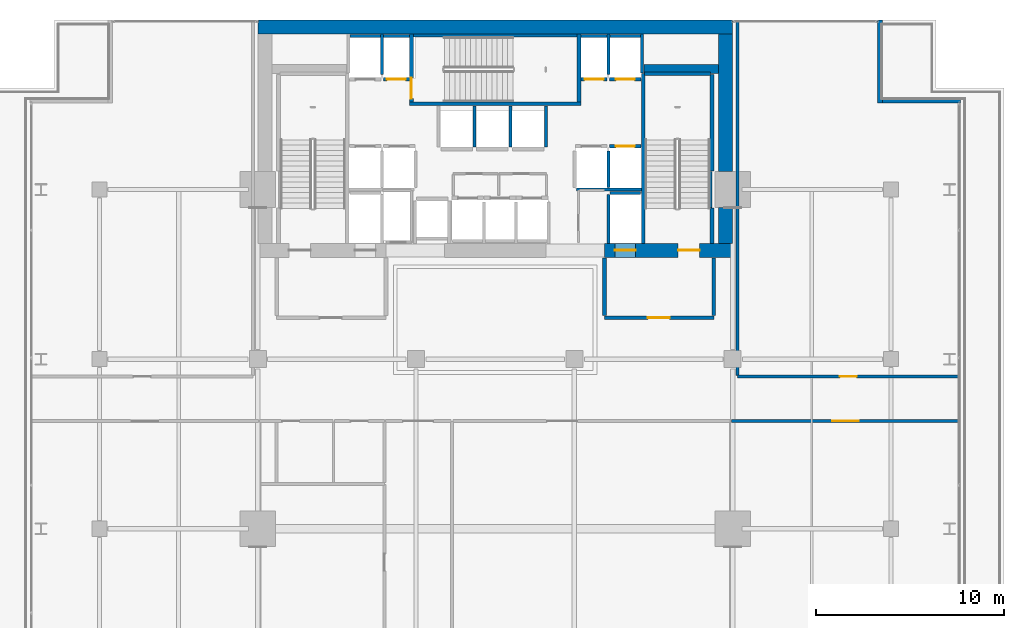
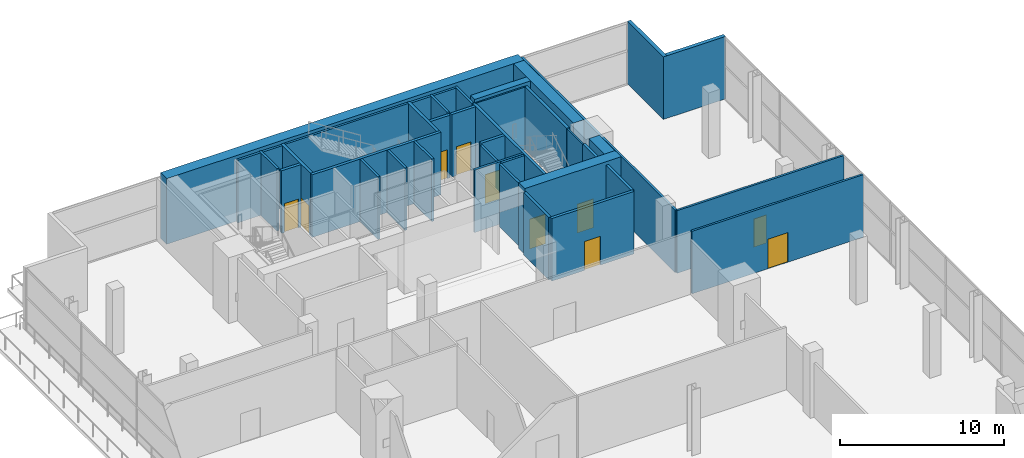
# One storey, part 26 of 31: 38 walls, 10 doors, 10 openings.
"""IFC4 building model written with IfcOpenShell, lengths in metres."""

from ifc_helpers import new_model, si_unit, direction, frame, frame_2d, origin, place, context, subcontext, project, spatial, rectangle, extrude, material, layer, layer_set, type_object, element, fill, save


model = new_model("IFC4")

# Units and contexts
model_context = context("Model", 3, precision=1e-05, world=origin(), true_north=direction((0.0, 1.0)))
body_context = subcontext(model_context, "Body", "Model", "MODEL_VIEW")
ifc_project = project(units=[si_unit("LENGTHUNIT", "METRE"), si_unit("AREAUNIT", "SQUARE_METRE"), si_unit("VOLUMEUNIT", "CUBIC_METRE"), si_unit("PLANEANGLEUNIT", "RADIAN"), si_unit("MASSUNIT", "GRAM", prefix="KILO")], contexts=[model_context])

# Site, building, storey
site_placement = place(None, origin())
site = spatial("IfcSite", under=ifc_project, at=site_placement, CompositionType="ELEMENT")
building_placement = place(site_placement, origin())
building = spatial("IfcBuilding", under=site, at=building_placement, Name="Maruvema Waterfront Hotel and Observation Tower", CompositionType="ELEMENT")
storey_placement = place(building_placement, frame((0.0, 0.0, 122.5)))
storey = spatial("IfcBuildingStorey", under=building, at=storey_placement, Name="L29", CompositionType="ELEMENT", Elevation=122.5)

# Wall, opening, door
ifc_material_1 = material(Name="Twin-stud acoustic gypsum drywall", Category="gypsum")
ifc_layer_1 = layer(ifc_material_1, 0.14990234375, Name="Acoustic Corridor and Suite Demising Wall 150 mm")
ifc_layer_set_1 = layer_set([ifc_layer_1], Name="Twin-stud acoustic gypsum drywall")
wall_type_1 = type_object("IfcWallType", Name="Acoustic Corridor and Suite Demising Wall 150 mm", PredefinedType="PARTITIONING", material=ifc_layer_set_1)
wall_1_placement = place(storey_placement, frame((50.35009765625, 32.719970703125, 0.0), z_axis=(0.0, 0.0, 1.0), x_axis=(1.0, 0.0, 0.0)))
wall_1 = element("IfcWall", 1, at=wall_1_placement, inside=storey, type_object=wall_type_1, Name="L29 L29 Club North 030", PredefinedType="PARTITIONING", context=body_context, shape_type="SweptSolid", body=[
    extrude(rectangle(XDim=12.06982421875, YDim=0.14990234375, at=frame_2d((6.034912109375, 0.0))), origin(), (0.0, 0.0, 1.0), 4.659912109375),
])
opening_1_placement = place(wall_1_placement, frame((5.3349609375, 0.0, 0.0)))
opening_1 = element("IfcOpeningElement", 2, at=opening_1_placement, cuts=wall_1, Name="Opening DR-140", PredefinedType="OPENING", context=body_context, shape_type="SweptSolid", body=[
    extrude(rectangle(XDim=1.39990234375, YDim=2.199951171875, at=frame_2d((0.699951171875, 1.10009765625))), frame((0.0, 0.0849609375, 0.0), z_axis=(0.0, -1.0, 0.0), x_axis=(1.0, 0.0, 0.0)), (0.0, 0.0, 1.0), 0.169921875),
])
ifc_material_2 = material(Name="Anodised bronze framed acoustic glass leaf", Category="glass")
door_type_1 = type_object("IfcDoorType", Name="Conference and Restaurant Double Door 1400x2200 mm", OperationType="DOUBLE_DOOR_SINGLE_SWING", PredefinedType="DOOR", material=ifc_material_2)
door_1_placement = place(opening_1_placement, origin())
door_1 = element("IfcDoor", 3, at=door_1_placement, inside=storey, type_object=door_type_1, Name="L29 L29 Club Lounge Door", OperationType="DOUBLE_DOOR_SINGLE_SWING", OverallHeight=2.199951171875, OverallWidth=1.39990234375, PredefinedType="DOOR", context=body_context, shape_type="SweptSolid", body=[
    extrude(rectangle(XDim=1.39990234375, YDim=2.199951171875, at=frame_2d((0.699951171875, 1.10009765625))), frame((0.0, 0.02490234375, 0.0), z_axis=(0.0, -1.0, 0.0), x_axis=(1.0, 0.0, 0.0)), (0.0, 0.0, 1.0), 0.050048828125),
])
fill(opening_1, door_1)

wall_2_placement = place(storey_placement, frame((50.64990234375, 35.080078125, 0.0), z_axis=(0.0, 0.0, 1.0), x_axis=(1.0, 0.0, 0.0)))
wall_2 = element("IfcWall", 4, at=wall_2_placement, inside=storey, type_object=wall_type_1, Name="L29 L29 Pastry Wall 035", PredefinedType="PARTITIONING", context=body_context, shape_type="SweptSolid", body=[
    extrude(rectangle(XDim=11.77001953125, YDim=0.14990234375, at=frame_2d((5.885009765625, 0.0))), origin(), (0.0, 0.0, 1.0), 4.659912109375),
])
opening_2_placement = place(wall_2_placement, frame((5.43505859375, 0.0, 0.0)))
opening_2 = element("IfcOpeningElement", 5, at=opening_2_placement, cuts=wall_2, Name="Opening DR-090", PredefinedType="OPENING", context=body_context, shape_type="SweptSolid", body=[
    extrude(rectangle(XDim=0.89990234375, YDim=2.10009765625, at=frame_2d((0.449951171875, 1.050048828125))), frame((0.0, 0.0849609375, 0.0), z_axis=(0.0, -1.0, 0.0), x_axis=(1.0, 0.0, 0.0)), (0.0, 0.0, 1.0), 0.169921875),
])
ifc_material_3 = material(Name="Solid-core lacquered timber leaf", Category="wood")
door_type_2 = type_object("IfcDoorType", Name="Accessible Toilet and Room Door 900x2100 mm", OperationType="NOTDEFINED", PredefinedType="DOOR", material=ifc_material_3)
door_2_placement = place(opening_2_placement, frame((0.89990234375, 0.0, 0.0), z_axis=(0.0, 0.0, 1.0), x_axis=(-1.0, 0.0, 0.0)))
door_2 = element("IfcDoor", 6, at=door_2_placement, inside=storey, type_object=door_type_2, Name="L29 Pastry Kitchen Door", OperationType="SINGLE_SWING_LEFT", OverallHeight=2.10009765625, OverallWidth=0.89990234375, PredefinedType="DOOR", context=body_context, shape_type="SweptSolid", body=[
    extrude(rectangle(XDim=0.89990234375, YDim=2.10009765625, at=frame_2d((0.449951171875, 1.050048828125))), frame((0.0, 0.02490234375, 0.0), z_axis=(0.0, -1.0, 0.0), x_axis=(1.0, 0.0, 0.0)), (0.0, 0.0, 1.0), 0.050048828125),
])
fill(opening_2, door_2)

# Walls
wall_3_placement = place(storey_placement, frame((50.64990234375, 35.139892578125, 0.0), z_axis=(0.0, 0.0, 1.0), x_axis=(0.0, 1.0, 0.0)))
element("IfcWall", 7, at=wall_3_placement, inside=storey, type_object=wall_type_1, Name="L29 L29 Pastry West 036", PredefinedType="PARTITIONING", context=body_context, shape_type="SweptSolid", body=[
    extrude(rectangle(XDim=18.780029296875, YDim=0.14990234375, at=frame_2d((9.39013671875, 0.0))), origin(), (0.0, 0.0, 1.0), 4.659912109375),
])
ifc_material_4 = material(Name="Precast concrete C45/55", Category="concrete")
ifc_layer_2 = layer(ifc_material_4, 0.14990234375, Name="Core Shaft Furring Wall 150 mm")
ifc_layer_set_2 = layer_set([ifc_layer_2], Name="Precast concrete C45/55")
wall_type_2 = type_object("IfcWallType", Name="Core Shaft Furring Wall 150 mm", PredefinedType="SOLIDWALL", material=ifc_layer_set_2)
wall_4_placement = place(storey_placement, frame((33.449951171875, 53.175048828125, 0.0), z_axis=(0.0, 0.0, 1.0), x_axis=(1.0, 0.0, 0.0)))
element("IfcWall", 8, at=wall_4_placement, inside=storey, type_object=wall_type_2, Name="L29 Stairwell ST-02 North Furring Wall", PredefinedType="SOLIDWALL", context=body_context, shape_type="SweptSolid", body=[
    extrude(rectangle(XDim=8.699951171875, YDim=0.14990234375, at=frame_2d((4.35009765625, 0.0))), origin(), (0.0, 0.0, 1.0), 4.659912109375),
])
ifc_material_5 = material(Name="Precast concrete C45/55", Category="concrete")
ifc_layer_3 = layer(ifc_material_5, 0.199951171875, Name="Core Shaft and Stairwell Enclosure Wall 200 mm")
ifc_layer_set_3 = layer_set([ifc_layer_3], Name="Precast concrete C45/55")
wall_type_3 = type_object("IfcWallType", Name="Core Shaft and Stairwell Enclosure Wall 200 mm", PredefinedType="SOLIDWALL", material=ifc_layer_set_3)
wall_5_placement = place(storey_placement, frame((33.25, 49.550048828125, 0.0), z_axis=(0.0, 0.0, 1.0), x_axis=(1.0, 0.0, 0.0)))
element("IfcWall", 9, at=wall_5_placement, inside=storey, type_object=wall_type_3, Name="L29 Stairwell ST-02 Shaft Wall", PredefinedType="SOLIDWALL", context=body_context, shape_type="SweptSolid", body=[
    extrude(rectangle(XDim=9.10009765625, YDim=0.199951171875, at=frame_2d((4.550048828125, 0.0))), origin(), (0.0, 0.0, 1.0), 4.659912109375),
])
wall_6_placement = place(storey_placement, frame((42.25, 49.64990234375, 0.0), z_axis=(0.0, 0.0, 1.0), x_axis=(0.0, 1.0, 0.0)))
element("IfcWall", 10, at=wall_6_placement, inside=storey, type_object=wall_type_3, Name="L29 Stairwell ST-02 Shaft Wall", PredefinedType="SOLIDWALL", context=body_context, shape_type="SweptSolid", body=[
    extrude(rectangle(XDim=3.60009765625, YDim=0.199951171875, at=frame_2d((1.800048828125, 0.0))), origin(), (0.0, 0.0, 1.0), 4.659912109375),
])

# Wall, opening, door
wall_7_placement = place(storey_placement, frame((33.35009765625, 49.64990234375, 0.0), z_axis=(0.0, 0.0, 1.0), x_axis=(0.0, 1.0, 0.0)))
wall_7 = element("IfcWall", 11, at=wall_7_placement, inside=storey, type_object=wall_type_3, Name="L29 Stairwell ST-02 Shaft Wall", PredefinedType="SOLIDWALL", context=body_context, shape_type="SweptSolid", body=[
    extrude(rectangle(XDim=3.60009765625, YDim=0.199951171875, at=frame_2d((1.800048828125, 0.0))), origin(), (0.0, 0.0, 1.0), 4.659912109375),
])
opening_3_placement = place(wall_7_placement, frame((0.179931640625, 0.0, 0.0)))
opening_3 = element("IfcOpeningElement", 12, at=opening_3_placement, cuts=wall_7, Name="Opening SD-02", PredefinedType="OPENING", context=body_context, shape_type="SweptSolid", body=[
    extrude(rectangle(XDim=1.10009765625, YDim=2.14990234375, at=frame_2d((0.550048828125, 1.074951171875))), frame((0.0, 0.10986328125, 0.0), z_axis=(0.0, -1.0, 0.0), x_axis=(1.0, 0.0, 0.0)), (0.0, 0.0, 1.0), 0.219970703125),
])
ifc_material_6 = material(Name="Fire-rated galvanised steel leaf", Category="steel")
door_type_3 = type_object("IfcDoorType", Name="Central Exit Stair Fire Door 1100x2150 mm", OperationType="NOTDEFINED", PredefinedType="DOOR", material=ifc_material_6)
door_3_placement = place(opening_3_placement, frame((1.10009765625, 0.0, 0.0), z_axis=(0.0, 0.0, 1.0), x_axis=(-1.0, 0.0, 0.0)))
door_3 = element("IfcDoor", 13, at=door_3_placement, inside=storey, type_object=door_type_3, Name="L29 Exit Stair ST-02 Fire Door", OperationType="SINGLE_SWING_LEFT", OverallHeight=2.14990234375, OverallWidth=1.10009765625, PredefinedType="DOOR", context=body_context, shape_type="SweptSolid", body=[
    extrude(rectangle(XDim=1.10009765625, YDim=2.14990234375, at=frame_2d((0.550048828125, 1.074951171875))), frame((0.0, 0.02490234375, 0.0), z_axis=(0.0, -1.0, 0.0), x_axis=(1.0, 0.0, 0.0)), (0.0, 0.0, 1.0), 0.050048828125),
])
fill(opening_3, door_3)

# Walls
wall_8_placement = place(storey_placement, frame((45.64990234375, 42.14990234375, 0.0), z_axis=(0.0, 0.0, 1.0), x_axis=(0.0, 1.0, 0.0)))
element("IfcWall", 14, at=wall_8_placement, inside=storey, type_object=wall_type_3, Name="L29 Stairwell ST-03 West Shaft Wall", PredefinedType="SOLIDWALL", context=body_context, shape_type="SweptSolid", body=[
    extrude(rectangle(XDim=9.0, YDim=0.199951171875, at=frame_2d((4.5, 0.0))), origin(), (0.0, 0.0, 1.0), 4.659912109375),
])
wall_9_placement = place(storey_placement, frame((49.300048828125, 42.14990234375, 0.0), z_axis=(0.0, 0.0, 1.0), x_axis=(0.0, 1.0, 0.0)))
element("IfcWall", 15, at=wall_9_placement, inside=storey, type_object=wall_type_3, Name="L29 Stairwell ST-03 Shaft Lining Wall", PredefinedType="SOLIDWALL", context=body_context, shape_type="SweptSolid", body=[
    extrude(rectangle(XDim=1.8701171875, YDim=0.199951171875, at=frame_2d((0.93505859375, 0.0))), origin(), (0.0, 0.0, 1.0), 4.659912109375),
])
wall_10_placement = place(storey_placement, frame((49.300048828125, 45.97998046875, 0.0), z_axis=(0.0, 0.0, 1.0), x_axis=(0.0, 1.0, 0.0)))
element("IfcWall", 16, at=wall_10_placement, inside=storey, type_object=wall_type_3, Name="L29 Stairwell ST-03 Shaft Lining Wall", PredefinedType="SOLIDWALL", context=body_context, shape_type="SweptSolid", body=[
    extrude(rectangle(XDim=5.14013671875, YDim=0.199951171875, at=frame_2d((2.570068359375, 0.0))), origin(), (0.0, 0.0, 1.0), 4.659912109375),
])
wall_11_placement = place(storey_placement, frame((45.719970703125, 51.14990234375, 0.0), z_axis=(0.0, 0.0, 1.0), x_axis=(1.0, 0.0, 0.0)))
element("IfcWall", 17, at=wall_11_placement, inside=storey, type_object=wall_type_3, Name="L29 Stairwell ST-03 Shaft Lining Wall", PredefinedType="SOLIDWALL", context=body_context, shape_type="SweptSolid", body=[
    extrude(rectangle(XDim=3.5, YDim=0.199951171875, at=frame_2d((1.75, 0.0))), origin(), (0.0, 0.0, 1.0), 4.659912109375),
])

# Wall, opening, door
wall_12_placement = place(storey_placement, frame((31.860107421875, 50.85009765625, 0.0), z_axis=(0.0, 0.0, 1.0), x_axis=(1.0, 0.0, 0.0)))
wall_12 = element("IfcWall", 18, at=wall_12_placement, inside=storey, type_object=wall_type_3, Name="L29 Lift LF-04 Hoistway Front Wall", PredefinedType="SOLIDWALL", context=body_context, shape_type="SweptSolid", body=[
    extrude(rectangle(XDim=1.3798828125, YDim=0.199951171875, at=frame_2d((0.68994140625, 0.0))), origin(), (0.0, 0.0, 1.0), 4.659912109375),
])
opening_4_placement = place(wall_12_placement, frame((0.18994140625, 0.0, 0.0)))
opening_4 = element("IfcOpeningElement", 19, at=opening_4_placement, cuts=wall_12, Name="Opening LD-01", PredefinedType="OPENING", context=body_context, shape_type="SweptSolid", body=[
    extrude(rectangle(XDim=1.0, YDim=2.14990234375, at=frame_2d((0.5, 1.074951171875))), frame((0.0, 0.10986328125, 0.0), z_axis=(0.0, -1.0, 0.0), x_axis=(1.0, 0.0, 0.0)), (0.0, 0.0, 1.0), 0.219970703125),
])
ifc_material_7 = material(Name="Brushed stainless steel Grade 316", Category="steel")
door_type_4 = type_object("IfcDoorType", Name="Passenger Lift Sliding Landing Door 1000x2150 mm", OperationType="SLIDING_TO_LEFT", PredefinedType="DOOR", material=ifc_material_7)
door_4_placement = place(opening_4_placement, frame((1.0, 0.0, 0.0), z_axis=(0.0, 0.0, 1.0), x_axis=(-1.0, 0.0, 0.0)))
door_4 = element("IfcDoor", 20, at=door_4_placement, inside=storey, type_object=door_type_4, Name="L29 Lift LF-04 Sliding Landing Door", OperationType="SLIDING_TO_LEFT", OverallHeight=2.14990234375, OverallWidth=1.0, PredefinedType="DOOR", context=body_context, shape_type="SweptSolid", body=[
    extrude(rectangle(XDim=1.0, YDim=2.14990234375, at=frame_2d((0.5, 1.074951171875))), frame((0.0, 0.02490234375, 0.0), z_axis=(0.0, -1.0, 0.0), x_axis=(1.0, 0.0, 0.0)), (0.0, 0.0, 1.0), 0.050048828125),
])
fill(opening_4, door_4)

wall_13_placement = place(storey_placement, frame((43.860107421875, 47.300048828125, 0.0), z_axis=(0.0, 0.0, 1.0), x_axis=(1.0, 0.0, 0.0)))
wall_13 = element("IfcWall", 21, at=wall_13_placement, inside=storey, type_object=wall_type_3, Name="L29 Lift LF-06 Hoistway Front Wall", PredefinedType="SOLIDWALL", context=body_context, shape_type="SweptSolid", body=[
    extrude(rectangle(XDim=1.679931640625, YDim=0.199951171875, at=frame_2d((0.83984375, 0.0))), origin(), (0.0, 0.0, 1.0), 4.659912109375),
])
opening_5_placement = place(wall_13_placement, frame((0.340087890625, 0.0, 0.0)))
opening_5 = element("IfcOpeningElement", 22, at=opening_5_placement, cuts=wall_13, Name="Opening LD-01", PredefinedType="OPENING", context=body_context, shape_type="SweptSolid", body=[
    extrude(rectangle(XDim=1.0, YDim=2.14990234375, at=frame_2d((0.5, 1.074951171875))), frame((0.0, 0.10986328125, 0.0), z_axis=(0.0, -1.0, 0.0), x_axis=(1.0, 0.0, 0.0)), (0.0, 0.0, 1.0), 0.219970703125),
])
door_5_placement = place(opening_5_placement, origin())
door_5 = element("IfcDoor", 23, at=door_5_placement, inside=storey, type_object=door_type_4, Name="L29 Lift LF-06 Sliding Landing Door", OperationType="SLIDING_TO_LEFT", OverallHeight=2.14990234375, OverallWidth=1.0, PredefinedType="DOOR", context=body_context, shape_type="SweptSolid", body=[
    extrude(rectangle(XDim=1.0, YDim=2.14990234375, at=frame_2d((0.5, 1.074951171875))), frame((0.0, 0.02490234375, 0.0), z_axis=(0.0, -1.0, 0.0), x_axis=(1.0, 0.0, 0.0)), (0.0, 0.0, 1.0), 0.050048828125),
])
fill(opening_5, door_5)

wall_14_placement = place(storey_placement, frame((42.360107421875, 50.85009765625, 0.0), z_axis=(0.0, 0.0, 1.0), x_axis=(1.0, 0.0, 0.0)))
wall_14 = element("IfcWall", 24, at=wall_14_placement, inside=storey, type_object=wall_type_3, Name="L29 Lift LF-07 Hoistway Front Wall", PredefinedType="SOLIDWALL", context=body_context, shape_type="SweptSolid", body=[
    extrude(rectangle(XDim=1.3798828125, YDim=0.199951171875, at=frame_2d((0.68994140625, 0.0))), origin(), (0.0, 0.0, 1.0), 4.659912109375),
])
opening_6_placement = place(wall_14_placement, frame((0.18994140625, 0.0, 0.0)))
opening_6 = element("IfcOpeningElement", 25, at=opening_6_placement, cuts=wall_14, Name="Opening LD-01", PredefinedType="OPENING", context=body_context, shape_type="SweptSolid", body=[
    extrude(rectangle(XDim=1.0, YDim=2.14990234375, at=frame_2d((0.5, 1.074951171875))), frame((0.0, 0.10986328125, 0.0), z_axis=(0.0, -1.0, 0.0), x_axis=(1.0, 0.0, 0.0)), (0.0, 0.0, 1.0), 0.219970703125),
])
door_6_placement = place(opening_6_placement, frame((1.0, 0.0, 0.0), z_axis=(0.0, 0.0, 1.0), x_axis=(-1.0, 0.0, 0.0)))
door_6 = element("IfcDoor", 26, at=door_6_placement, inside=storey, type_object=door_type_4, Name="L29 Lift LF-07 Sliding Landing Door", OperationType="SLIDING_TO_LEFT", OverallHeight=2.14990234375, OverallWidth=1.0, PredefinedType="DOOR", context=body_context, shape_type="SweptSolid", body=[
    extrude(rectangle(XDim=1.0, YDim=2.14990234375, at=frame_2d((0.5, 1.074951171875))), frame((0.0, 0.02490234375, 0.0), z_axis=(0.0, -1.0, 0.0), x_axis=(1.0, 0.0, 0.0)), (0.0, 0.0, 1.0), 0.050048828125),
])
fill(opening_6, door_6)

wall_15_placement = place(storey_placement, frame((43.860107421875, 50.85009765625, 0.0), z_axis=(0.0, 0.0, 1.0), x_axis=(1.0, 0.0, 0.0)))
wall_15 = element("IfcWall", 27, at=wall_15_placement, inside=storey, type_object=wall_type_3, Name="L29 Lift LF-08 Hoistway Front Wall", PredefinedType="SOLIDWALL", context=body_context, shape_type="SweptSolid", body=[
    extrude(rectangle(XDim=1.679931640625, YDim=0.199951171875, at=frame_2d((0.83984375, 0.0))), origin(), (0.0, 0.0, 1.0), 4.659912109375),
])
opening_7_placement = place(wall_15_placement, frame((0.340087890625, 0.0, 0.0)))
opening_7 = element("IfcOpeningElement", 28, at=opening_7_placement, cuts=wall_15, Name="Opening LD-01", PredefinedType="OPENING", context=body_context, shape_type="SweptSolid", body=[
    extrude(rectangle(XDim=1.0, YDim=2.14990234375, at=frame_2d((0.5, 1.074951171875))), frame((0.0, 0.10986328125, 0.0), z_axis=(0.0, -1.0, 0.0), x_axis=(1.0, 0.0, 0.0)), (0.0, 0.0, 1.0), 0.219970703125),
])
door_7_placement = place(opening_7_placement, frame((1.0, 0.0, 0.0), z_axis=(0.0, 0.0, 1.0), x_axis=(-1.0, 0.0, 0.0)))
door_7 = element("IfcDoor", 29, at=door_7_placement, inside=storey, type_object=door_type_4, Name="L29 Lift LF-08 Sliding Landing Door", OperationType="SLIDING_TO_LEFT", OverallHeight=2.14990234375, OverallWidth=1.0, PredefinedType="DOOR", context=body_context, shape_type="SweptSolid", body=[
    extrude(rectangle(XDim=1.0, YDim=2.14990234375, at=frame_2d((0.5, 1.074951171875))), frame((0.0, 0.02490234375, 0.0), z_axis=(0.0, -1.0, 0.0), x_axis=(1.0, 0.0, 0.0)), (0.0, 0.0, 1.0), 0.050048828125),
])
fill(opening_7, door_7)

# Walls
ifc_material_8 = material(Name="Concrete C70/85", Category="concrete")
ifc_layer_4 = layer(ifc_material_8, 0.5, Name="Core Shear Wall 500 mm")
ifc_layer_set_4 = layer_set([ifc_layer_4], Name="Concrete C70/85")
wall_type_4 = type_object("IfcWallType", Name="Core Shear Wall 500 mm", PredefinedType="SHEAR", material=ifc_layer_set_4)
wall_16_placement = place(storey_placement, frame((45.699951171875, 51.39990234375, 0.0), z_axis=(0.0, 0.0, 1.0), x_axis=(1.0, 0.0, 0.0)))
element("IfcWall", 30, at=wall_16_placement, inside=storey, type_object=wall_type_4, Name="L29 Internal Core Shear Wall NE 500 mm", PredefinedType="SHEAR", context=body_context, shape_type="SweptSolid", body=[
    extrude(rectangle(XDim=3.949951171875, YDim=0.5, at=frame_2d((1.97509765625, 0.0))), origin(), (0.0, 0.0, 1.0), 4.89990234375),
])
ifc_material_9 = material(Name="Concrete C70/85", Category="concrete")
ifc_layer_5 = layer(ifc_material_9, 0.75, Name="Core Shear Wall 750 mm")
ifc_layer_set_5 = layer_set([ifc_layer_5], Name="Concrete C70/85")
wall_type_5 = type_object("IfcWallType", Name="Core Shear Wall 750 mm", PredefinedType="SHEAR", material=ifc_layer_set_5)
wall_17_placement = place(storey_placement, frame((25.199951171875, 53.625, 0.0), z_axis=(0.0, 0.0, 1.0), x_axis=(1.0, 0.0, 0.0)))
element("IfcWall", 31, at=wall_17_placement, inside=storey, type_object=wall_type_5, Name="L29 North Core Shear Wall", PredefinedType="SHEAR", context=body_context, shape_type="SweptSolid", body=[
    extrude(rectangle(XDim=25.199951171875, YDim=0.75, at=frame_2d((12.60009765625, 0.0))), origin(), (0.0, 0.0, 1.0), 4.89990234375),
])

# Wall, openings, doors
wall_18_placement = place(storey_placement, frame((43.60009765625, 41.77490234375, 0.0), z_axis=(0.0, 0.0, 1.0), x_axis=(1.0, 0.0, 0.0)))
wall_18 = element("IfcWall", 32, at=wall_18_placement, inside=storey, type_object=wall_type_5, Name="L29 South-East Core Shear Wall", PredefinedType="SHEAR", context=body_context, shape_type="SweptSolid", body=[
    extrude(rectangle(XDim=6.7998046875, YDim=0.75, at=frame_2d((3.39990234375, 0.0))), origin(), (0.0, 0.0, 1.0), 4.89990234375),
])
opening_8_placement = place(wall_18_placement, frame((3.89990234375, 0.0, 0.0)))
opening_8 = element("IfcOpeningElement", 33, at=opening_8_placement, cuts=wall_18, Name="Opening SD-01", PredefinedType="OPENING", context=body_context, shape_type="SweptSolid", body=[
    extrude(rectangle(XDim=1.14990234375, YDim=2.14990234375, at=frame_2d((0.574951171875, 1.074951171875))), frame((0.0, 0.385009765625, 0.0), z_axis=(0.0, -1.0, 0.0), x_axis=(1.0, 0.0, 0.0)), (0.0, 0.0, 1.0), 0.77001953125),
])
opening_9_placement = place(wall_18_placement, frame((0.550048828125, 0.0, 0.0)))
opening_9 = element("IfcOpeningElement", 34, at=opening_9_placement, cuts=wall_18, Name="Opening LD-03", PredefinedType="OPENING", context=body_context, shape_type="SweptSolid", body=[
    extrude(rectangle(XDim=1.10009765625, YDim=2.199951171875, at=frame_2d((0.550048828125, 1.10009765625))), frame((0.0, 0.385009765625, 0.0), z_axis=(0.0, -1.0, 0.0), x_axis=(1.0, 0.0, 0.0)), (0.0, 0.0, 1.0), 0.77001953125),
])
ifc_material_10 = material(Name="Fire-rated galvanised steel leaf", Category="steel")
door_type_5 = type_object("IfcDoorType", Name="Exit Stair Fire Door 1150x2150 mm", OperationType="NOTDEFINED", PredefinedType="DOOR", material=ifc_material_10)
door_8_placement = place(opening_8_placement, origin())
door_8 = element("IfcDoor", 35, at=door_8_placement, inside=storey, type_object=door_type_5, Name="L29 Exit Stair ST-03 Fire Door", OperationType="SINGLE_SWING_RIGHT", OverallHeight=2.14990234375, OverallWidth=1.14990234375, PredefinedType="DOOR", context=body_context, shape_type="SweptSolid", body=[
    extrude(rectangle(XDim=1.14990234375, YDim=2.14990234375, at=frame_2d((0.574951171875, 1.074951171875))), frame((0.0, 0.02490234375, 0.0), z_axis=(0.0, -1.0, 0.0), x_axis=(1.0, 0.0, 0.0)), (0.0, 0.0, 1.0), 0.050048828125),
])
fill(opening_8, door_8)
ifc_material_11 = material(Name="Brushed stainless steel Grade 316", Category="steel")
door_type_6 = type_object("IfcDoorType", Name="Firefighting Lift Sliding Landing Door 1100x2200 mm", OperationType="SLIDING_TO_LEFT", PredefinedType="DOOR", material=ifc_material_11)
door_9_placement = place(opening_9_placement, frame((1.10009765625, 0.0, 0.0), z_axis=(0.0, 0.0, 1.0), x_axis=(-1.0, 0.0, 0.0)))
door_9 = element("IfcDoor", 36, at=door_9_placement, inside=storey, type_object=door_type_6, Name="L29 Firefighting Lift FL-02 Landing Door", OperationType="SLIDING_TO_LEFT", OverallHeight=2.199951171875, OverallWidth=1.10009765625, PredefinedType="DOOR", context=body_context, shape_type="SweptSolid", body=[
    extrude(rectangle(XDim=1.10009765625, YDim=2.199951171875, at=frame_2d((0.550048828125, 1.10009765625))), frame((0.0, 0.02490234375, 0.0), z_axis=(0.0, -1.0, 0.0), x_axis=(1.0, 0.0, 0.0)), (0.0, 0.0, 1.0), 0.050048828125),
])
fill(opening_9, door_9)

# Walls
wall_19_placement = place(storey_placement, frame((50.02490234375, 42.14990234375, 0.0), z_axis=(0.0, 0.0, 1.0), x_axis=(0.0, 1.0, 0.0)))
element("IfcWall", 37, at=wall_19_placement, inside=storey, type_object=wall_type_5, Name="L29 East-South Core Shear Wall", PredefinedType="SHEAR", context=body_context, shape_type="SweptSolid", body=[
    extrude(rectangle(XDim=1.900146484375, YDim=0.75, at=frame_2d((0.9501953125, 0.0))), origin(), (0.0, 0.0, 1.0), 4.89990234375),
])
wall_20_placement = place(storey_placement, frame((50.02490234375, 45.949951171875, 0.0), z_axis=(0.0, 0.0, 1.0), x_axis=(0.0, 1.0, 0.0)))
element("IfcWall", 38, at=wall_20_placement, inside=storey, type_object=wall_type_5, Name="L29 East-North Core Shear Wall", PredefinedType="SHEAR", context=body_context, shape_type="SweptSolid", body=[
    extrude(rectangle(XDim=7.300048828125, YDim=0.75, at=frame_2d((3.64990234375, 0.0))), origin(), (0.0, 0.0, 1.0), 4.89990234375),
])
ifc_material_12 = material(Name="Precast concrete C45/55 with honed Pernambuco granite facing", Category="masonry")
ifc_layer_6 = layer(ifc_material_12, 0.260009765625, Name="Exterior Granite Clad Spandrel and Pier Wall 260 mm")
ifc_layer_set_6 = layer_set([ifc_layer_6], Name="Precast concrete C45/55 with honed Pernambuco granite facing")
wall_type_6 = type_object("IfcWallType", Name="Exterior Granite Clad Spandrel and Pier Wall 260 mm", PredefinedType="SOLIDWALL", material=ifc_layer_set_6)
for number, where, z_axis, x_axis, name in (
    (39, (58.22998046875, 54.0, 0.0), (0.0, 0.0, 1.0), (0.0, -1.0, 0.0), "L29 Corner Notch Granite Pier Wall NE1"),
    (40, (58.10009765625, 49.72998046875, 0.0), (0.0, 0.0, 1.0), (1.0, 0.0, 0.0), "L29 Corner Notch Granite Pier Wall NE2"),
):
    element("IfcWall", number, at=place(storey_placement, frame(where, z_axis=z_axis, x_axis=x_axis)), inside=storey, type_object=wall_type_6, Name=name, PredefinedType="SOLIDWALL", context=body_context, shape_type="SweptSolid", body=[
        extrude(rectangle(XDim=4.39990234375, YDim=0.260009765625, at=frame_2d((2.199951171875, 0.0))), origin(), (0.0, 0.0, 1.0), 4.659912109375),
    ])

# Wall, opening, door
ifc_material_13 = material(Name="Autoclaved cellular concrete blockwork", Category="masonry")
ifc_layer_7 = layer(ifc_material_13, 0.199951171875, Name="Fire Compartment Masonry Wall 200 mm")
ifc_layer_set_7 = layer_set([ifc_layer_7], Name="Autoclaved cellular concrete blockwork")
wall_type_7 = type_object("IfcWallType", Name="Fire Compartment Masonry Wall 200 mm", PredefinedType="PARTITIONING", material=ifc_layer_set_7)
wall_21_placement = place(storey_placement, frame((43.60009765625, 38.199951171875, 0.0), z_axis=(0.0, 0.0, 1.0), x_axis=(1.0, 0.0, 0.0)))
wall_21 = element("IfcWall", 41, at=wall_21_placement, inside=storey, type_object=wall_type_7, Name="L29 FFL East South Wall 004", PredefinedType="PARTITIONING", context=body_context, shape_type="SweptSolid", body=[
    extrude(rectangle(XDim=5.7998046875, YDim=0.199951171875, at=frame_2d((2.89990234375, 0.0))), origin(), (0.0, 0.0, 1.0), 4.659912109375),
])
opening_10_placement = place(wall_21_placement, frame((2.300048828125, 0.0, 0.0)))
opening_10 = element("IfcOpeningElement", 42, at=opening_10_placement, cuts=wall_21, Name="Opening FD-115", PredefinedType="OPENING", context=body_context, shape_type="SweptSolid", body=[
    extrude(rectangle(XDim=1.14990234375, YDim=2.14990234375, at=frame_2d((0.574951171875, 1.074951171875))), frame((0.0, 0.10986328125, 0.0), z_axis=(0.0, -1.0, 0.0), x_axis=(1.0, 0.0, 0.0)), (0.0, 0.0, 1.0), 0.219970703125),
])
ifc_material_14 = material(Name="Fire-rated galvanised steel and vision glass", Category="steel")
door_type_7 = type_object("IfcDoorType", Name="Firefighting Lobby Fire Door 1150x2150 mm", OperationType="NOTDEFINED", PredefinedType="DOOR", material=ifc_material_14)
door_10_placement = place(opening_10_placement, frame((1.14990234375, 0.0, 0.0), z_axis=(0.0, 0.0, 1.0), x_axis=(-1.0, 0.0, 0.0)))
door_10 = element("IfcDoor", 43, at=door_10_placement, inside=storey, type_object=door_type_7, Name="L29 Firefighting Lobby East Door", OperationType="SINGLE_SWING_RIGHT", OverallHeight=2.14990234375, OverallWidth=1.14990234375, PredefinedType="DOOR", context=body_context, shape_type="SweptSolid", body=[
    extrude(rectangle(XDim=1.14990234375, YDim=2.14990234375, at=frame_2d((0.574951171875, 1.074951171875))), frame((0.0, 0.02490234375, 0.0), z_axis=(0.0, -1.0, 0.0), x_axis=(1.0, 0.0, 0.0)), (0.0, 0.0, 1.0), 0.050048828125),
])
fill(opening_10, door_10)

# Walls
for number, where, z_axis, x_axis, name in (
    (44, (43.60009765625, 38.31005859375, 0.0), (0.0, 0.0, 1.0), (0.0, 1.0, 0.0), "L29 FFL East West Wall 005"),
    (45, (49.39990234375, 38.31005859375, 0.0), (0.0, 0.0, 1.0), (0.0, 1.0, 0.0), "L29 FFL East East Wall 006"),
):
    element("IfcWall", number, at=place(storey_placement, frame(where, z_axis=z_axis, x_axis=x_axis)), inside=storey, type_object=wall_type_7, Name=name, PredefinedType="PARTITIONING", context=body_context, shape_type="SweptSolid", body=[
        extrude(rectangle(XDim=3.06982421875, YDim=0.199951171875, at=frame_2d((1.534912109375, 0.0))), origin(), (0.0, 0.0, 1.0), 4.659912109375),
    ])
ifc_material_15 = material(Name="Precast concrete C45/55", Category="concrete")
ifc_layer_8 = layer(ifc_material_15, 0.159912109375, Name="Lift Hoistway Divider Wall 160 mm")
ifc_layer_set_8 = layer_set([ifc_layer_8], Name="Precast concrete C45/55")
wall_type_8 = type_object("IfcWallType", Name="Lift Hoistway Divider Wall 160 mm", PredefinedType="SOLIDWALL", material=ifc_layer_set_8)
wall_22_placement = place(storey_placement, frame((43.89990234375, 44.830078125, 0.0), z_axis=(0.0, 0.0, 1.0), x_axis=(1.0, 0.0, 0.0)))
element("IfcWall", 46, at=wall_22_placement, inside=storey, type_object=wall_type_8, Name="L29 Lift FL-02 Rear Hoistway Wall", PredefinedType="SOLIDWALL", context=body_context, shape_type="SweptSolid", body=[
    extrude(rectangle(XDim=1.60009765625, YDim=0.159912109375, at=frame_2d((0.800048828125, 0.0))), origin(), (0.0, 0.0, 1.0), 4.659912109375),
])
wall_23_placement = place(storey_placement, frame((43.820068359375, 42.14990234375, 0.0), z_axis=(0.0, 0.0, 1.0), x_axis=(0.0, 1.0, 0.0)))
element("IfcWall", 47, at=wall_23_placement, inside=storey, type_object=wall_type_8, Name="L29 Lift FL-02 Inner Hoistway Wall", PredefinedType="SOLIDWALL", context=body_context, shape_type="SweptSolid", body=[
    extrude(rectangle(XDim=2.590087890625, YDim=0.159912109375, at=frame_2d((1.294921875, 0.0))), origin(), (0.0, 0.0, 1.0), 4.659912109375),
])
wall_24_placement = place(storey_placement, frame((31.800048828125, 51.10009765625, 0.0), z_axis=(0.0, 0.0, 1.0), x_axis=(0.0, 1.0, 0.0)))
element("IfcWall", 48, at=wall_24_placement, inside=storey, type_object=wall_type_8, Name="L29 Hoistway Divider Wall", PredefinedType="SOLIDWALL", context=body_context, shape_type="SweptSolid", body=[
    extrude(rectangle(XDim=2.14990234375, YDim=0.159912109375, at=frame_2d((1.074951171875, 0.0))), origin(), (0.0, 0.0, 1.0), 4.659912109375),
])
wall_25_placement = place(storey_placement, frame((30.10009765625, 53.139892578125, 0.0), z_axis=(0.0, 0.0, 1.0), x_axis=(1.0, 0.0, 0.0)))
element("IfcWall", 49, at=wall_25_placement, inside=storey, type_object=wall_type_8, Name="L29 Hoistway Divider Wall", PredefinedType="SOLIDWALL", context=body_context, shape_type="SweptSolid", body=[
    extrude(rectangle(XDim=3.139892578125, YDim=0.159912109375, at=frame_2d((1.56982421875, 0.0))), origin(), (0.0, 0.0, 1.0), 4.659912109375),
])
wall_26_placement = place(storey_placement, frame((43.800048828125, 45.10009765625, 0.0), z_axis=(0.0, 0.0, 1.0), x_axis=(0.0, 1.0, 0.0)))
element("IfcWall", 50, at=wall_26_placement, inside=storey, type_object=wall_type_8, Name="L29 Hoistway Divider Wall", PredefinedType="SOLIDWALL", context=body_context, shape_type="SweptSolid", body=[
    extrude(rectangle(XDim=1.949951171875, YDim=0.159912109375, at=frame_2d((0.97509765625, 0.0))), origin(), (0.0, 0.0, 1.0), 4.659912109375),
])
wall_27_placement = place(storey_placement, frame((42.10009765625, 45.010009765625, 0.0), z_axis=(0.0, 0.0, 1.0), x_axis=(1.0, 0.0, 0.0)))
element("IfcWall", 51, at=wall_27_placement, inside=storey, type_object=wall_type_8, Name="L29 Hoistway Divider Wall", PredefinedType="SOLIDWALL", context=body_context, shape_type="SweptSolid", body=[
    extrude(rectangle(XDim=3.449951171875, YDim=0.159912109375, at=frame_2d((1.72509765625, 0.0))), origin(), (0.0, 0.0, 1.0), 4.659912109375),
])
wall_28_placement = place(storey_placement, frame((45.590087890625, 51.179931640625, 0.0), z_axis=(0.0, 0.0, 1.0), x_axis=(0.0, 1.0, 0.0)))
element("IfcWall", 52, at=wall_28_placement, inside=storey, type_object=wall_type_8, Name="L29 Hoistway Divider Wall", PredefinedType="SOLIDWALL", context=body_context, shape_type="SweptSolid", body=[
    extrude(rectangle(XDim=2.070068359375, YDim=0.159912109375, at=frame_2d((1.03515625, 0.0))), origin(), (0.0, 0.0, 1.0), 4.659912109375),
])
wall_29_placement = place(storey_placement, frame((43.800048828125, 51.10009765625, 0.0), z_axis=(0.0, 0.0, 1.0), x_axis=(0.0, 1.0, 0.0)))
element("IfcWall", 53, at=wall_29_placement, inside=storey, type_object=wall_type_8, Name="L29 Hoistway Divider Wall", PredefinedType="SOLIDWALL", context=body_context, shape_type="SweptSolid", body=[
    extrude(rectangle(XDim=2.14990234375, YDim=0.159912109375, at=frame_2d((1.074951171875, 0.0))), origin(), (0.0, 0.0, 1.0), 4.659912109375),
])
wall_30_placement = place(storey_placement, frame((42.360107421875, 53.139892578125, 0.0), z_axis=(0.0, 0.0, 1.0), x_axis=(1.0, 0.0, 0.0)))
element("IfcWall", 54, at=wall_30_placement, inside=storey, type_object=wall_type_8, Name="L29 Hoistway Divider Wall", PredefinedType="SOLIDWALL", context=body_context, shape_type="SweptSolid", body=[
    extrude(rectangle(XDim=3.139892578125, YDim=0.159912109375, at=frame_2d((1.56982421875, 0.0))), origin(), (0.0, 0.0, 1.0), 4.659912109375),
])
for number, where, z_axis, x_axis, name in (
    (55, (36.699951171875, 47.25, 0.0), (0.0, 0.0, 1.0), (0.0, 1.0, 0.0), "L29 Hoistway Divider Wall"),
    (56, (38.60009765625, 47.25, 0.0), (0.0, 0.0, 1.0), (0.0, 1.0, 0.0), "L29 Hoistway Divider Wall"),
    (57, (40.5, 47.25, 0.0), (0.0, 0.0, 1.0), (0.0, 1.0, 0.0), "L29 Hoistway Divider Wall"),
):
    element("IfcWall", number, at=place(storey_placement, frame(where, z_axis=z_axis, x_axis=x_axis)), inside=storey, type_object=wall_type_8, Name=name, PredefinedType="SOLIDWALL", context=body_context, shape_type="SweptSolid", body=[
        extrude(rectangle(XDim=2.18994140625, YDim=0.159912109375, at=frame_2d((1.094970703125, 0.0))), origin(), (0.0, 0.0, 1.0), 4.659912109375),
    ])
ifc_material_16 = material(Name="Precast concrete C45/55", Category="concrete")
ifc_layer_9 = layer(ifc_material_16, 0.10009765625, Name="Stairwell Stringer Cheek Wall 100 mm")
ifc_layer_set_9 = layer_set([ifc_layer_9], Name="Precast concrete C45/55")
wall_type_9 = type_object("IfcWallType", Name="Stairwell Stringer Cheek Wall 100 mm", PredefinedType="SOLIDWALL", material=ifc_layer_set_9)
wall_31_placement = place(storey_placement, frame((49.248046875, 44.0400390625, 0.0), z_axis=(0.0, 0.0, 1.0), x_axis=(0.0, 1.0, 0.0)))
element("IfcWall", 58, at=wall_31_placement, inside=storey, type_object=wall_type_9, Name="L29 Stairwell ST-03 Mega-Column Cheek Wall", PredefinedType="SOLIDWALL", context=body_context, shape_type="SweptSolid", body=[
    extrude(rectangle(XDim=1.919921875, YDim=0.10009765625, at=frame_2d((0.9599609375, 0.0))), origin(), (0.0, 0.0, 1.0), 4.659912109375),
])

save(model, "model.ifc")
